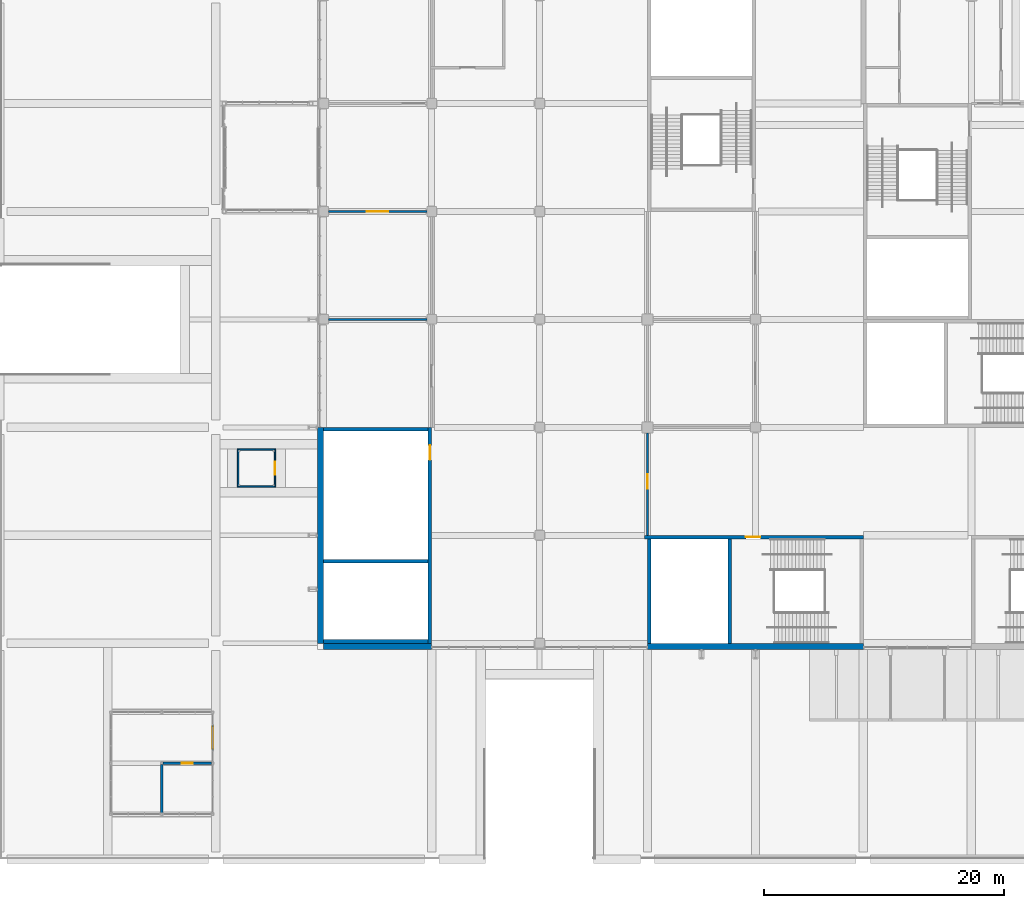
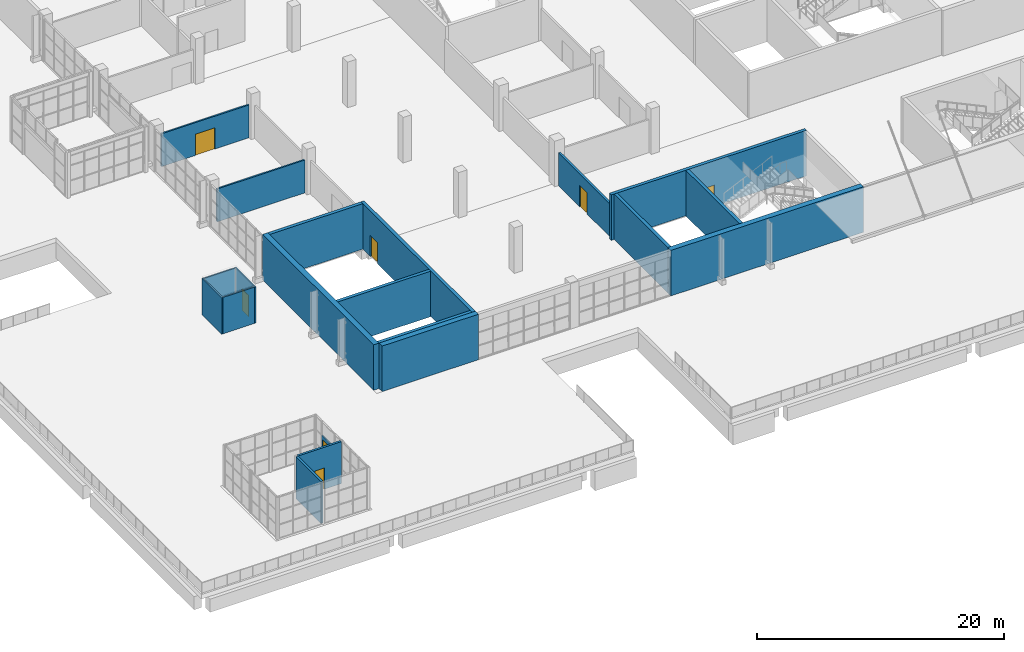
# One storey, part 91 of 168: 20 walls, 7 doors, 7 openings.
"""IFC4 building model written with IfcOpenShell, lengths in metres."""

from ifc_helpers import new_model, si_unit, direction, frame, frame_2d, origin, place, context, subcontext, project, spatial, rectangle, extrude, material, layer, layer_set, type_object, element, fill, save


model = new_model("IFC4")

# Units and contexts
model_context = context("Model", 3, precision=1e-05, world=origin(), true_north=direction((0.0, 1.0)))
body_context = subcontext(model_context, "Body", "Model", "MODEL_VIEW")
ifc_project = project(units=[si_unit("LENGTHUNIT", "METRE"), si_unit("AREAUNIT", "SQUARE_METRE"), si_unit("VOLUMEUNIT", "CUBIC_METRE"), si_unit("PLANEANGLEUNIT", "RADIAN"), si_unit("MASSUNIT", "GRAM", prefix="KILO")], contexts=[model_context])

# Site, building, storey
site_placement = place(None, origin())
site = spatial("IfcSite", under=ifc_project, at=site_placement, CompositionType="ELEMENT")
building_placement = place(site_placement, origin())
building = spatial("IfcBuilding", under=site, at=building_placement, Name="Silverbay Arena", CompositionType="ELEMENT")
storey_placement = place(building_placement, frame((0.0, 0.0, 7.0)))
storey = spatial("IfcBuildingStorey", under=building, at=storey_placement, Name="L01", CompositionType="ELEMENT", Elevation=7.0)

# Wall, opening, door
ifc_material_1 = material(Name="Concrete Grade C45", Category="concrete")
ifc_layer_1 = layer(ifc_material_1, 0.300048828125)
ifc_layer_set_1 = layer_set([ifc_layer_1], Name="Concrete Grade C45")
wall_type_1 = type_object("IfcWallType", Name="Core wall RC 300 EI 120", PredefinedType="SHEAR", material=ifc_layer_set_1)
wall_1_placement = place(storey_placement, frame((72.0, 26.85009765625, 0.0), z_axis=(0.0, 0.0, 1.0), x_axis=(-1.0, 0.0, 0.0)))
wall_1 = element("IfcWall", 1, at=wall_1_placement, inside=storey, type_object=wall_type_1, Name="Core wall ST-S5 L01 door side", PredefinedType="SHEAR", context=body_context, shape_type="SweptSolid", body=[
    extrude(rectangle(XDim=18.25, YDim=0.300048828125, at=frame_2d((9.125, 0.0))), origin(), (0.0, 0.0, 1.0), 4.5),
])
opening_1_placement = place(wall_1_placement, frame((8.60009765625, 0.0, 0.0)))
opening_1 = element("IfcOpeningElement", 2, at=opening_1_placement, cuts=wall_1, Name="Opening L01-109", PredefinedType="OPENING", context=body_context, shape_type="SweptSolid", body=[
    extrude(rectangle(XDim=1.199951171875, YDim=2.10009765625, at=frame_2d((0.60009765625, 1.050048828125))), frame((0.0, 0.16015625, 0.0), z_axis=(0.0, -1.0, 0.0), x_axis=(1.0, 0.0, 0.0)), (0.0, 0.0, 1.0), 0.320068359375),
])
ifc_material_2 = material(Name="Steel fire door", Category="steel")
door_type_1 = type_object("IfcDoorType", Name="Stair door 1200 x 2100 fire door", OperationType="SINGLE_SWING_LEFT", PredefinedType="DOOR", material=ifc_material_2)
door_1_placement = place(opening_1_placement, origin())
door_1 = element("IfcDoor", 3, at=door_1_placement, inside=storey, type_object=door_type_1, Name="Stair door ST-S5 L01", OperationType="SINGLE_SWING_RIGHT", OverallHeight=2.10009765625, OverallWidth=1.199951171875, PredefinedType="DOOR", context=body_context, shape_type="SweptSolid", body=[
    extrude(rectangle(XDim=1.199951171875, YDim=2.10009765625, at=frame_2d((0.60009765625, 1.050048828125))), frame((0.0, 0.02490234375, 0.0), z_axis=(0.0, -1.0, 0.0), x_axis=(1.0, 0.0, 0.0)), (0.0, 0.0, 1.0), 0.050048828125),
])
fill(opening_1, door_1)

# Walls
for number, where, z_axis, x_axis, name in (
    (4, (54.14990234375, 26.699951171875, 0.0), (0.0, 0.0, 1.0), (0.0, -1.0, 0.0), "Core wall ST-S5 L01 end 2"),
    (5, (60.85009765625, 26.699951171875, 0.0), (0.0, 0.0, 1.0), (0.0, -1.0, 0.0), "Core wall ST-S5 L01 stair enclosure"),
):
    element("IfcWall", number, at=place(storey_placement, frame(where, z_axis=z_axis, x_axis=x_axis)), inside=storey, type_object=wall_type_1, Name=name, PredefinedType="SHEAR", context=body_context, shape_type="SweptSolid", body=[
        extrude(rectangle(XDim=8.699951171875, YDim=0.300048828125, at=frame_2d((4.35009765625, 0.0))), origin(), (0.0, 0.0, 1.0), 4.5),
    ])

# Wall, opening, door
wall_2_placement = place(storey_placement, frame((35.85009765625, 36.0, 0.0), z_axis=(0.0, 0.0, 1.0), x_axis=(0.0, -1.0, 0.0)))
wall_2 = element("IfcWall", 6, at=wall_2_placement, inside=storey, type_object=wall_type_1, Name="Core wall ST-WG1 L01 door side", PredefinedType="SHEAR", context=body_context, shape_type="SweptSolid", body=[
    extrude(rectangle(XDim=18.0, YDim=0.300048828125, at=frame_2d((9.0, 0.0))), origin(), (0.0, 0.0, 1.0), 4.5),
])
opening_2_placement = place(wall_2_placement, frame((1.5, 0.0, 0.0)))
opening_2 = element("IfcOpeningElement", 7, at=opening_2_placement, cuts=wall_2, Name="Opening L01-125", PredefinedType="OPENING", context=body_context, shape_type="SweptSolid", body=[
    extrude(rectangle(XDim=1.199951171875, YDim=2.10009765625, at=frame_2d((0.60009765625, 1.050048828125))), frame((0.0, 0.16015625, 0.0), z_axis=(0.0, -1.0, 0.0), x_axis=(1.0, 0.0, 0.0)), (0.0, 0.0, 1.0), 0.320068359375),
])
door_2_placement = place(opening_2_placement, frame((1.199951171875, 0.0, 0.0), z_axis=(0.0, 0.0, 1.0), x_axis=(-1.0, 0.0, 0.0)))
door_2 = element("IfcDoor", 8, at=door_2_placement, inside=storey, type_object=door_type_1, Name="Stair door ST-WG1 L01", OperationType="SINGLE_SWING_RIGHT", OverallHeight=2.10009765625, OverallWidth=1.199951171875, PredefinedType="DOOR", context=body_context, shape_type="SweptSolid", body=[
    extrude(rectangle(XDim=1.199951171875, YDim=2.10009765625, at=frame_2d((0.60009765625, 1.050048828125))), frame((0.0, 0.02490234375, 0.0), z_axis=(0.0, -1.0, 0.0), x_axis=(1.0, 0.0, 0.0)), (0.0, 0.0, 1.0), 0.050048828125),
])
fill(opening_2, door_2)

# Walls
for number, where, z_axis, x_axis, name in (
    (9, (35.699951171875, 35.85009765625, 0.0), (0.0, 0.0, 1.0), (-1.0, 0.0, 0.0), "Core wall ST-WG1 L01 end 1"),
    (10, (35.699951171875, 18.14990234375, 0.0), (0.0, 0.0, 1.0), (-1.0, 0.0, 0.0), "Core wall ST-WG1 L01 end 2"),
    (11, (35.699951171875, 24.85009765625, 0.0), (0.0, 0.0, 1.0), (-1.0, 0.0, 0.0), "Core wall ST-WG1 L01 stair enclosure"),
):
    element("IfcWall", number, at=place(storey_placement, frame(where, z_axis=z_axis, x_axis=x_axis)), inside=storey, type_object=wall_type_1, Name=name, PredefinedType="SHEAR", context=body_context, shape_type="SweptSolid", body=[
        extrude(rectangle(XDim=8.699951171875, YDim=0.300048828125, at=frame_2d((4.35009765625, 0.0))), origin(), (0.0, 0.0, 1.0), 4.5),
    ])
ifc_material_3 = material(Name="Concrete Grade C45", Category="concrete")
ifc_layer_2 = layer(ifc_material_3, 0.5)
ifc_layer_set_2 = layer_set([ifc_layer_2], Name="Concrete Grade C45")
wall_type_2 = type_object("IfcWallType", Name="Core wall RC 500 external EI 120", PredefinedType="SHEAR", material=ifc_layer_set_2)
for number, where, z_axis, x_axis, name in (
    (12, (72.0, 17.75, 0.0), (0.0, 0.0, 1.0), (-1.0, 0.0, 0.0), "Core wall ST-S5 L01 facade side"),
    (13, (26.75, 36.0, 0.0), (0.0, 0.0, 1.0), (0.0, -1.0, 0.0), "Core wall ST-WG1 L01 facade side"),
):
    element("IfcWall", number, at=place(storey_placement, frame(where, z_axis=z_axis, x_axis=x_axis)), inside=storey, type_object=wall_type_2, Name=name, PredefinedType="SHEAR", context=body_context, shape_type="SweptSolid", body=[
        extrude(rectangle(XDim=18.0, YDim=0.5, at=frame_2d((9.0, 0.0))), origin(), (0.0, 0.0, 1.0), 4.5),
    ])

# Wall, opening, door
ifc_material_4 = material(Name="Glass and aluminium", Category="aluminium")
ifc_layer_3 = layer(ifc_material_4, 0.1201171875)
ifc_layer_set_3 = layer_set([ifc_layer_3], Name="Glass and aluminium")
wall_type_3 = type_object("IfcWallType", Name="Fire-resisting glazed lift enclosure 120", PredefinedType="PARTITIONING", material=ifc_layer_set_3)
wall_3_placement = place(storey_placement, frame((22.93994140625, 31.0, 0.0), z_axis=(0.0, 0.0, 1.0), x_axis=(0.0, 1.0, 0.0)))
wall_3 = element("IfcWall", 14, at=wall_3_placement, inside=storey, type_object=wall_type_3, Name="Glazed lift enclosure LB-D1 L01 landing side", PredefinedType="PARTITIONING", context=body_context, shape_type="SweptSolid", body=[
    extrude(rectangle(XDim=3.199951171875, YDim=0.1201171875, at=frame_2d((1.60009765625, 0.0))), origin(), (0.0, 0.0, 1.0), 3.60009765625),
])
opening_3_placement = place(wall_3_placement, frame((1.050048828125, 0.0, 0.0)))
opening_3 = element("IfcOpeningElement", 15, at=opening_3_placement, cuts=wall_3, Name="Opening L01-149", PredefinedType="OPENING", context=body_context, shape_type="SweptSolid", body=[
    extrude(rectangle(XDim=1.10009765625, YDim=2.10009765625, at=frame_2d((0.550048828125, 1.050048828125))), frame((0.0, 0.070068359375, 0.0), z_axis=(0.0, -1.0, 0.0), x_axis=(1.0, 0.0, 0.0)), (0.0, 0.0, 1.0), 0.14013671875),
])
ifc_material_5 = material(Name="Stainless steel", Category="steel")
door_type_2 = type_object("IfcDoorType", Name="LD1 lift landing door 1100 x 2100", OperationType="DOUBLE_DOOR_SLIDING", PredefinedType="DOOR", material=ifc_material_5)
door_3_placement = place(opening_3_placement, origin())
door_3 = element("IfcDoor", 16, at=door_3_placement, inside=storey, type_object=door_type_2, Name="Lift landing door LF25 L01", OperationType="DOUBLE_DOOR_SLIDING", OverallHeight=2.10009765625, OverallWidth=1.10009765625, PredefinedType="DOOR", context=body_context, shape_type="SweptSolid", body=[
    extrude(rectangle(XDim=1.10009765625, YDim=2.10009765625, at=frame_2d((0.550048828125, 1.050048828125))), frame((0.0, 0.02490234375, 0.0), z_axis=(0.0, -1.0, 0.0), x_axis=(1.0, 0.0, 0.0)), (0.0, 0.0, 1.0), 0.050048828125),
])
fill(opening_3, door_3)

# Walls
wall_4_placement = place(storey_placement, frame((19.860107421875, 31.0, 0.0), z_axis=(0.0, 0.0, 1.0), x_axis=(0.0, 1.0, 0.0)))
element("IfcWall", 17, at=wall_4_placement, inside=storey, type_object=wall_type_3, Name="Glazed lift enclosure LB-D1 L01 back", PredefinedType="PARTITIONING", context=body_context, shape_type="SweptSolid", body=[
    extrude(rectangle(XDim=3.199951171875, YDim=0.1201171875, at=frame_2d((1.60009765625, 0.0))), origin(), (0.0, 0.0, 1.0), 3.60009765625),
])
for number, where, z_axis, x_axis, name in (
    (18, (19.919921875, 31.06005859375, 0.0), (0.0, 0.0, 1.0), (1.0, 0.0, 0.0), "Glazed lift enclosure LB-D1 L01 south"),
    (19, (19.919921875, 34.139892578125, 0.0), (0.0, 0.0, 1.0), (1.0, 0.0, 0.0), "Glazed lift enclosure LB-D1 L01 north"),
):
    element("IfcWall", number, at=place(storey_placement, frame(where, z_axis=z_axis, x_axis=x_axis)), inside=storey, type_object=wall_type_3, Name=name, PredefinedType="PARTITIONING", context=body_context, shape_type="SweptSolid", body=[
        extrude(rectangle(XDim=2.9599609375, YDim=0.1201171875, at=frame_2d((1.47998046875, 0.0))), origin(), (0.0, 0.0, 1.0), 3.60009765625),
    ])

# Wall, opening, door
ifc_material_6 = material(Name="Aluminium and glass", Category="aluminium")
ifc_layer_4 = layer(ifc_material_6, 0.10009765625)
ifc_layer_set_4 = layer_set([ifc_layer_4], Name="Aluminium and glass")
wall_type_4 = type_object("IfcWallType", Name="Glazed entrance screen 100", PredefinedType="SOLIDWALL", material=ifc_layer_set_4)
wall_5_placement = place(storey_placement, frame((17.75, 9.074951171875, 0.0), z_axis=(0.0, 0.0, 1.0), x_axis=(0.0, 1.0, 0.0)))
wall_5 = element("IfcWall", 20, at=wall_5_placement, inside=storey, type_object=wall_type_4, Name="Pavilion entrance screen", PredefinedType="SOLIDWALL", context=body_context, shape_type="SweptSolid", body=[
    extrude(rectangle(XDim=2.10009765625, YDim=0.10009765625, at=frame_2d((1.050048828125, 0.0))), origin(), (0.0, 0.0, 1.0), 2.800048828125),
])
opening_4_placement = place(wall_5_placement, frame((0.14990234375, 0.0, 0.0)))
opening_4 = element("IfcOpeningElement", 21, at=opening_4_placement, cuts=wall_5, Name="Opening L01-095", PredefinedType="OPENING", context=body_context, shape_type="SweptSolid", body=[
    extrude(rectangle(XDim=1.800048828125, YDim=2.39990234375, at=frame_2d((0.89990234375, 1.199951171875))), frame((0.0, 0.06005859375, 0.0), z_axis=(0.0, -1.0, 0.0), x_axis=(1.0, 0.0, 0.0)), (0.0, 0.0, 1.0), 0.1201171875),
])
ifc_material_7 = material(Name="Aluminium and glass", Category="aluminium")
door_type_3 = type_object("IfcDoorType", Name="Pavilion entrance door 1800 x 2400", OperationType="DOUBLE_DOOR_SINGLE_SWING", PredefinedType="DOOR", material=ifc_material_7)
door_4_placement = place(opening_4_placement, frame((1.800048828125, 0.0, 0.0), z_axis=(0.0, 0.0, 1.0), x_axis=(-1.0, 0.0, 0.0)))
door_4 = element("IfcDoor", 22, at=door_4_placement, inside=storey, type_object=door_type_3, Name="Pavilion entrance door", OperationType="DOUBLE_DOOR_SINGLE_SWING", OverallHeight=2.39990234375, OverallWidth=1.800048828125, PredefinedType="DOOR", context=body_context, shape_type="SweptSolid", body=[
    extrude(rectangle(XDim=1.800048828125, YDim=2.39990234375, at=frame_2d((0.89990234375, 1.199951171875))), frame((0.0, 0.02490234375, 0.0), z_axis=(0.0, -1.0, 0.0), x_axis=(1.0, 0.0, 0.0)), (0.0, 0.0, 1.0), 0.050048828125),
])
fill(opening_4, door_4)

# Wall
ifc_material_8 = material(Name="Gypsum board partition on steel studs", Category="steel")
ifc_layer_5 = layer(ifc_material_8, 0.14990234375)
ifc_layer_set_5 = layer_set([ifc_layer_5], Name="Gypsum board partition on steel studs")
wall_type_5 = type_object("IfcWallType", Name="Partition 150 EI 60", PredefinedType="PARTITIONING", material=ifc_layer_set_5)
wall_6_placement = place(storey_placement, frame((27.39990234375, 45.0, 0.0), z_axis=(0.0, 0.0, 1.0), x_axis=(1.0, 0.0, 0.0)))
element("IfcWall", 23, at=wall_6_placement, inside=storey, type_object=wall_type_5, Name="Partition wall", PredefinedType="PARTITIONING", context=body_context, shape_type="SweptSolid", body=[
    extrude(rectangle(XDim=8.2001953125, YDim=0.14990234375, at=frame_2d((4.10009765625, 0.0))), origin(), (0.0, 0.0, 1.0), 3.25),
])

# Wall, opening, door
wall_7_placement = place(storey_placement, frame((27.39990234375, 54.0, 0.0), z_axis=(0.0, 0.0, 1.0), x_axis=(1.0, 0.0, 0.0)))
wall_7 = element("IfcWall", 24, at=wall_7_placement, inside=storey, type_object=wall_type_5, Name="Partition wall", PredefinedType="PARTITIONING", context=body_context, shape_type="SweptSolid", body=[
    extrude(rectangle(XDim=8.2001953125, YDim=0.14990234375, at=frame_2d((4.10009765625, 0.0))), origin(), (0.0, 0.0, 1.0), 3.25),
])
opening_5_placement = place(wall_7_placement, frame((3.199951171875, 0.0, 0.0)))
opening_5 = element("IfcOpeningElement", 25, at=opening_5_placement, cuts=wall_7, Name="Opening L01-040", PredefinedType="OPENING", context=body_context, shape_type="SweptSolid", body=[
    extrude(rectangle(XDim=1.800048828125, YDim=2.10009765625, at=frame_2d((0.89990234375, 1.050048828125))), frame((0.0, 0.0849609375, 0.0), z_axis=(0.0, -1.0, 0.0), x_axis=(1.0, 0.0, 0.0)), (0.0, 0.0, 1.0), 0.169921875),
])
ifc_material_9 = material(Name="Steel faced timber", Category="steel")
door_type_4 = type_object("IfcDoorType", Name="Double leaf door 1800 x 2100 FD30S", OperationType="DOUBLE_DOOR_DOUBLE_SWING", PredefinedType="DOOR", material=ifc_material_9)
door_5_placement = place(opening_5_placement, frame((1.800048828125, 0.0, 0.0), z_axis=(0.0, 0.0, 1.0), x_axis=(-1.0, 0.0, 0.0)))
door_5 = element("IfcDoor", 26, at=door_5_placement, inside=storey, type_object=door_type_4, Name="Door L01-040", OperationType="DOUBLE_DOOR_DOUBLE_SWING", OverallHeight=2.10009765625, OverallWidth=1.800048828125, PredefinedType="DOOR", context=body_context, shape_type="SweptSolid", body=[
    extrude(rectangle(XDim=1.800048828125, YDim=2.10009765625, at=frame_2d((0.89990234375, 1.050048828125))), frame((0.0, 0.02490234375, 0.0), z_axis=(0.0, -1.0, 0.0), x_axis=(1.0, 0.0, 0.0)), (0.0, 0.0, 1.0), 0.050048828125),
])
fill(opening_5, door_5)

ifc_material_10 = material(Name="Masonry blockwork partition", Category="masonry")
ifc_layer_6 = layer(ifc_material_10, 0.199951171875)
ifc_layer_set_6 = layer_set([ifc_layer_6], Name="Masonry blockwork partition")
wall_type_6 = type_object("IfcWallType", Name="Partition 200 EI 120", PredefinedType="PARTITIONING", material=ifc_layer_set_6)
wall_8_placement = place(storey_placement, frame((54.0, 27.0, 0.0), z_axis=(0.0, 0.0, 1.0), x_axis=(0.0, 1.0, 0.0)))
wall_8 = element("IfcWall", 27, at=wall_8_placement, inside=storey, type_object=wall_type_6, Name="Partition wall", PredefinedType="PARTITIONING", context=body_context, shape_type="SweptSolid", body=[
    extrude(rectangle(XDim=8.550048828125, YDim=0.199951171875, at=frame_2d((4.27490234375, 0.0))), origin(), (0.0, 0.0, 1.0), 3.25),
])
opening_6_placement = place(wall_8_placement, frame((3.89990234375, 0.0, 0.0)))
opening_6 = element("IfcOpeningElement", 28, at=opening_6_placement, cuts=wall_8, Name="Opening L01-061", PredefinedType="OPENING", context=body_context, shape_type="SweptSolid", body=[
    extrude(rectangle(XDim=1.199951171875, YDim=2.10009765625, at=frame_2d((0.60009765625, 1.050048828125))), frame((0.0, 0.10986328125, 0.0), z_axis=(0.0, -1.0, 0.0), x_axis=(1.0, 0.0, 0.0)), (0.0, 0.0, 1.0), 0.219970703125),
])
ifc_material_11 = material(Name="Steel faced timber", Category="steel")
door_type_5 = type_object("IfcDoorType", Name="Single leaf door 1200 x 2100 FD120", OperationType="SINGLE_SWING_LEFT", PredefinedType="DOOR", material=ifc_material_11)
door_6_placement = place(opening_6_placement, frame((1.199951171875, 0.0, 0.0), z_axis=(0.0, 0.0, 1.0), x_axis=(-1.0, 0.0, 0.0)))
door_6 = element("IfcDoor", 29, at=door_6_placement, inside=storey, type_object=door_type_5, Name="Door L01-061", OperationType="SINGLE_SWING_LEFT", OverallHeight=2.10009765625, OverallWidth=1.199951171875, PredefinedType="DOOR", context=body_context, shape_type="SweptSolid", body=[
    extrude(rectangle(XDim=1.199951171875, YDim=2.10009765625, at=frame_2d((0.60009765625, 1.050048828125))), frame((0.0, 0.02490234375, 0.0), z_axis=(0.0, -1.0, 0.0), x_axis=(1.0, 0.0, 0.0)), (0.0, 0.0, 1.0), 0.050048828125),
])
fill(opening_6, door_6)

# Wall
ifc_material_12 = material(Name="Gypsum board partition on steel studs", Category="steel")
ifc_layer_7 = layer(ifc_material_12, 0.199951171875)
ifc_layer_set_7 = layer_set([ifc_layer_7], Name="Gypsum board partition on steel studs")
wall_type_7 = type_object("IfcWallType", Name="Partition 200 plain EI 60", PredefinedType="PARTITIONING", material=ifc_layer_set_7)
wall_9_placement = place(storey_placement, frame((13.5, 3.85009765625, 0.0), z_axis=(0.0, 0.0, 1.0), x_axis=(0.0, 1.0, 0.0)))
element("IfcWall", 30, at=wall_9_placement, inside=storey, type_object=wall_type_7, Name="Ticket office partition", PredefinedType="PARTITIONING", context=body_context, shape_type="SweptSolid", body=[
    extrude(rectangle(XDim=4.0498046875, YDim=0.199951171875, at=frame_2d((2.02490234375, 0.0))), origin(), (0.0, 0.0, 1.0), 4.14990234375),
])

# Wall, opening, door
wall_10_placement = place(storey_placement, frame((13.60009765625, 8.0, 0.0), z_axis=(0.0, 0.0, 1.0), x_axis=(1.0, 0.0, 0.0)))
wall_10 = element("IfcWall", 31, at=wall_10_placement, inside=storey, type_object=wall_type_7, Name="Ticket office partition", PredefinedType="PARTITIONING", context=body_context, shape_type="SweptSolid", body=[
    extrude(rectangle(XDim=4.0498046875, YDim=0.199951171875, at=frame_2d((2.02490234375, 0.0))), origin(), (0.0, 0.0, 1.0), 4.14990234375),
])
opening_7_placement = place(wall_10_placement, frame((1.574951171875, 0.0, 0.0)))
opening_7 = element("IfcOpeningElement", 32, at=opening_7_placement, cuts=wall_10, Name="Opening L01-096", PredefinedType="OPENING", context=body_context, shape_type="SweptSolid", body=[
    extrude(rectangle(XDim=0.89990234375, YDim=2.10009765625, at=frame_2d((0.449951171875, 1.050048828125))), frame((0.0, 0.10986328125, 0.0), z_axis=(0.0, -1.0, 0.0), x_axis=(1.0, 0.0, 0.0)), (0.0, 0.0, 1.0), 0.219970703125),
])
ifc_material_13 = material(Name="Timber, painted", Category="wood")
door_type_6 = type_object("IfcDoorType", Name="Single leaf door 900 x 2100 FD30S", OperationType="SINGLE_SWING_LEFT", PredefinedType="DOOR", material=ifc_material_13)
door_7_placement = place(opening_7_placement, origin())
door_7 = element("IfcDoor", 33, at=door_7_placement, inside=storey, type_object=door_type_6, Name="Ticket office door", OperationType="SINGLE_SWING_LEFT", OverallHeight=2.10009765625, OverallWidth=0.89990234375, PredefinedType="DOOR", context=body_context, shape_type="SweptSolid", body=[
    extrude(rectangle(XDim=0.89990234375, YDim=2.10009765625, at=frame_2d((0.449951171875, 1.050048828125))), frame((0.0, 0.02490234375, 0.0), z_axis=(0.0, -1.0, 0.0), x_axis=(1.0, 0.0, 0.0)), (0.0, 0.0, 1.0), 0.050048828125),
])
fill(opening_7, door_7)

# Wall
ifc_material_14 = material(Name="Concrete Grade C45", Category="concrete")
ifc_layer_8 = layer(ifc_material_14, 0.5)
ifc_layer_set_8 = layer_set([ifc_layer_8], Name="Concrete Grade C45")
wall_type_8 = type_object("IfcWallType", Name="Stair core facade wall 500", PredefinedType="SOLIDWALL", material=ifc_layer_set_8)
wall_11_placement = place(storey_placement, frame((27.0, 17.75, 0.0), z_axis=(0.0, 0.0, 1.0), x_axis=(1.0, 0.0, 0.0)))
element("IfcWall", 34, at=wall_11_placement, inside=storey, type_object=wall_type_8, Name="South stair core facade wall L01 bay 1", PredefinedType="SOLIDWALL", context=body_context, shape_type="SweptSolid", body=[
    extrude(rectangle(XDim=9.0, YDim=0.5, at=frame_2d((4.5, 0.0))), origin(), (0.0, 0.0, 1.0), 4.5),
])

save(model, "model.ifc")
